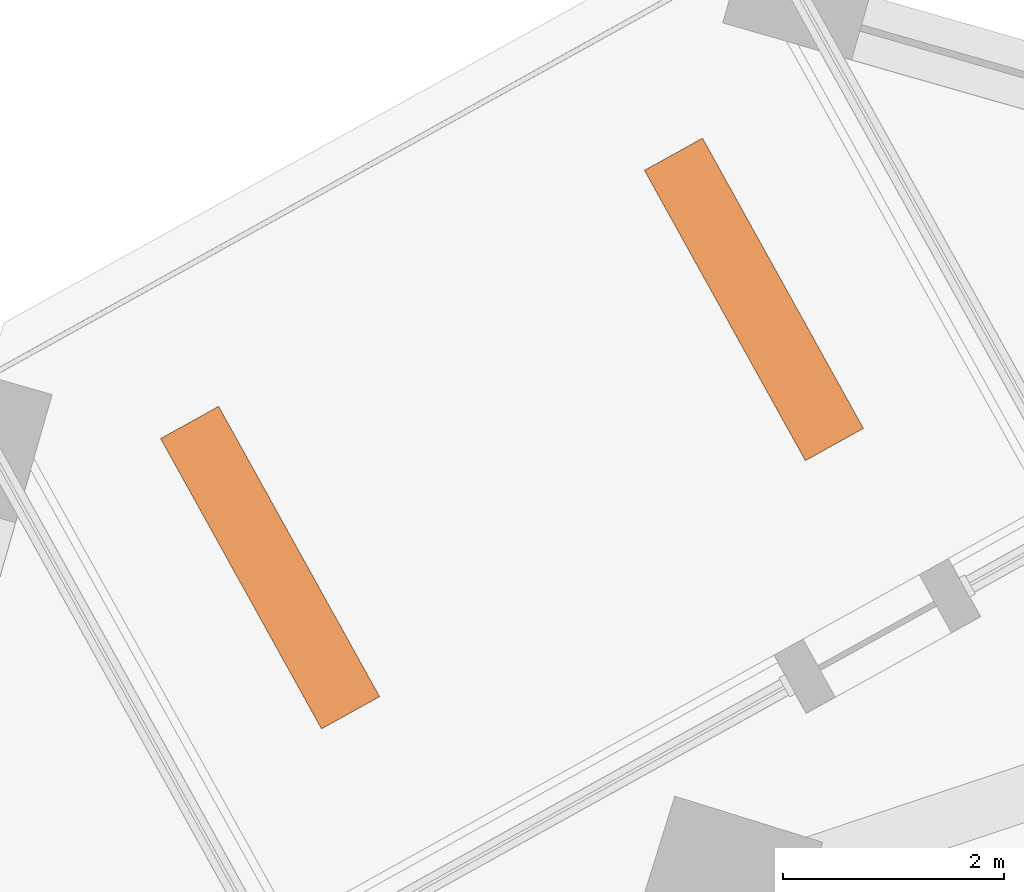
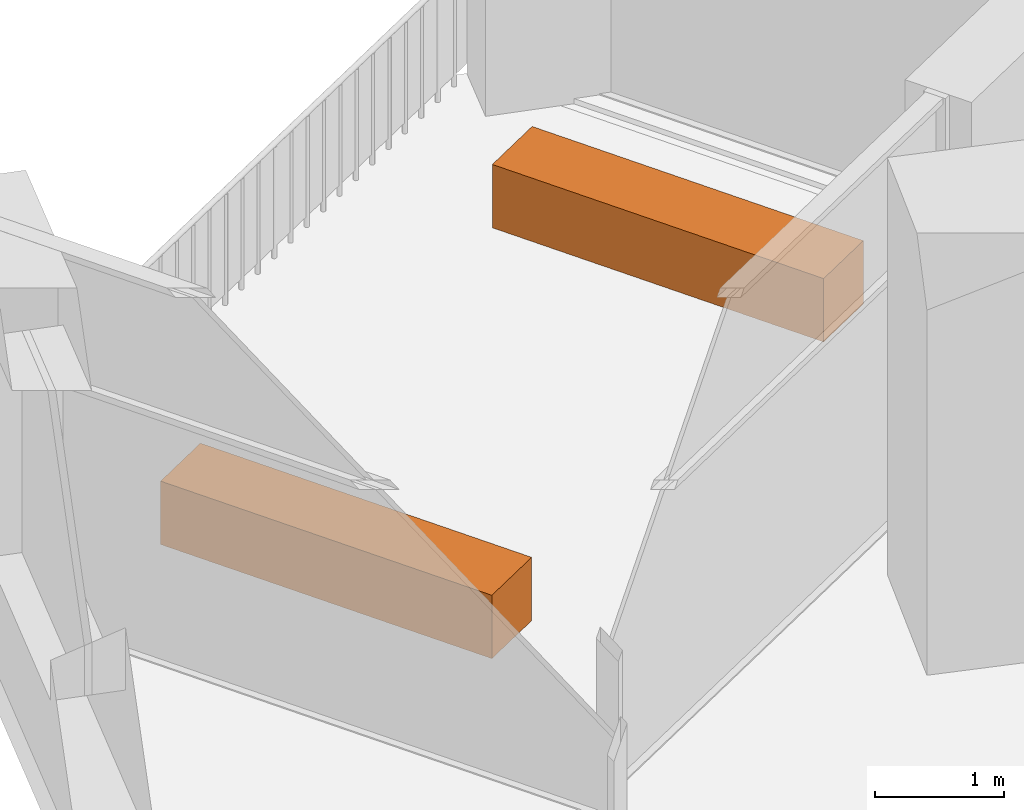
# One storey, part 15 of 15: 2 proxies.
"""IFC4 building model written with IfcOpenShell, lengths in metres."""

from ifc_helpers import new_model, si_unit, direction, frame, origin, origin_2d, place, context, subcontext, project, spatial, rectangle, extrude, element, save


model = new_model("IFC4")

# Units and contexts
model_context = context("Model", 3, precision=1e-05, world=origin(), true_north=direction((0.0, 1.0)))
body_context = subcontext(model_context, "Body", "Model", "MODEL_VIEW")
ifc_project = project(units=[si_unit("LENGTHUNIT", "METRE"), si_unit("AREAUNIT", "SQUARE_METRE"), si_unit("VOLUMEUNIT", "CUBIC_METRE"), si_unit("PLANEANGLEUNIT", "RADIAN"), si_unit("MASSUNIT", "GRAM", prefix="KILO")], contexts=[model_context])

# Site, building, storey
site_placement = place(None, origin())
site = spatial("IfcSite", under=ifc_project, at=site_placement, CompositionType="ELEMENT")
building_placement = place(site_placement, origin())
building = spatial("IfcBuilding", under=site, at=building_placement, Name="Dilmun Exchange Tower", CompositionType="ELEMENT")
storey_placement = place(building_placement, frame((0.0, 0.0, 324.5)))
storey = spatial("IfcBuildingStorey", under=building, at=storey_placement, Name="L77", CompositionType="ELEMENT", Elevation=324.5)

# Proxies
for number, where, z_axis, x_axis, name in (
    (1, (-12.281494140625, 31.6884765625, 0.0), (0.0, 0.0, 1.0), (-0.484809620246, 0.874619707139, 0.0), "PLANTER Ghaf tree L77.1"),
    (2, (-16.654541015625, 29.264404296875, 0.0), (0.0, 0.0, 1.0), (-0.484809620246, 0.874619707139, 0.0), "PLANTER Ghaf tree L77.2"),
):
    element("IfcBuildingElementProxy", number, at=place(storey_placement, frame(where, z_axis=z_axis, x_axis=x_axis)), inside=storey, Name=name, ObjectType="PLANTER", PredefinedType="USERDEFINED", context=body_context, shape_type="SweptSolid", body=[
        extrude(rectangle(XDim=3.0, YDim=0.60009765625, at=origin_2d()), origin(), (0.0, 0.0, 1.0), 0.60009765625),
    ])

save(model, "model.ifc")
